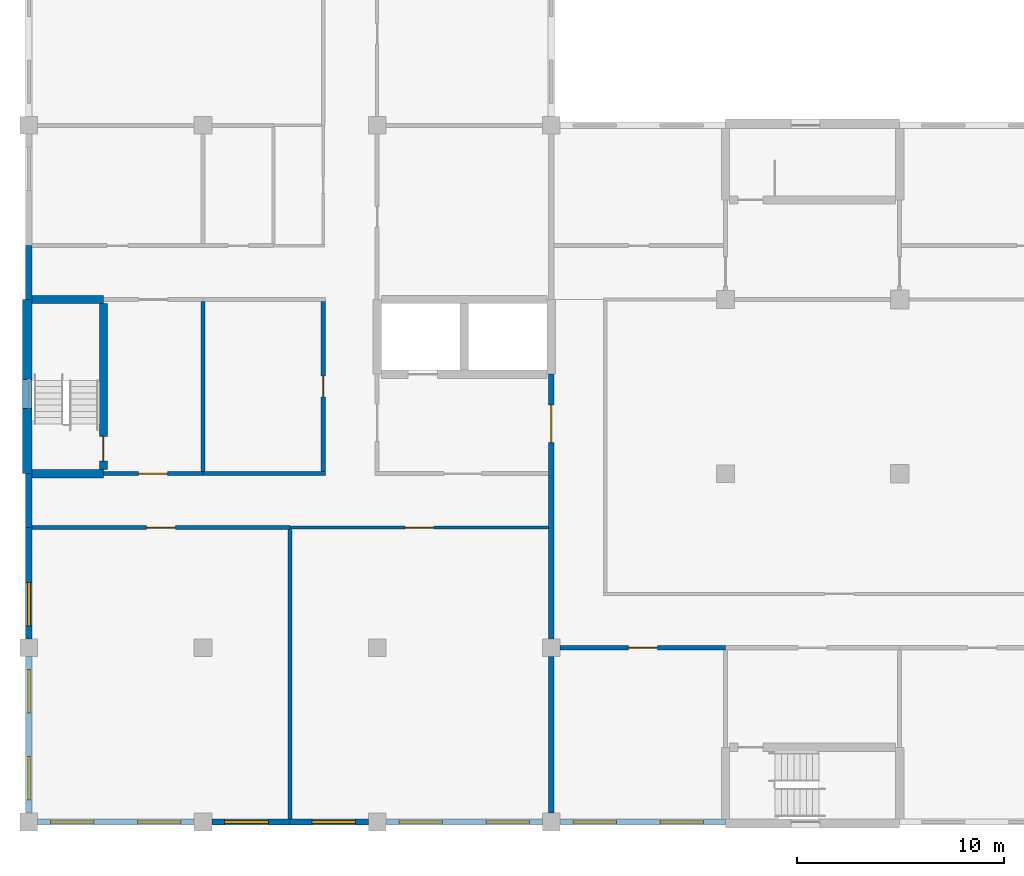
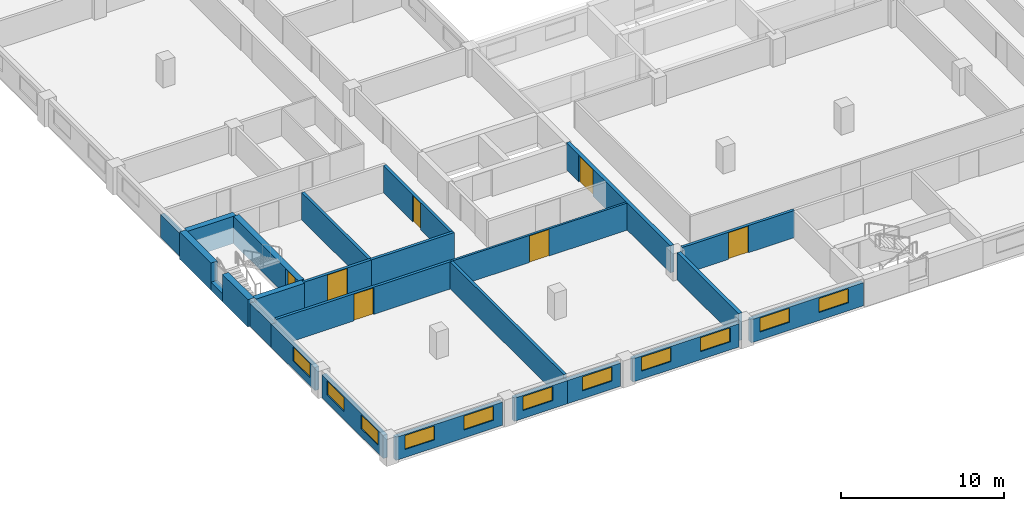
# One storey, part 29 of 48: 25 walls, 11 windows, 7 doors, 18 openings.
"""IFC4 building model written with IfcOpenShell, lengths in metres."""

from ifc_helpers import new_model, si_unit, direction, frame, frame_2d, origin, place, context, subcontext, project, spatial, rectangle, extrude, material, layer, layer_set, type_object, element, fill, save


model = new_model("IFC4")

# Units and contexts
model_context = context("Model", 3, precision=1e-05, world=origin(), true_north=direction((0.0, 1.0)))
body_context = subcontext(model_context, "Body", "Model", "MODEL_VIEW")
ifc_project = project(units=[si_unit("LENGTHUNIT", "METRE"), si_unit("AREAUNIT", "SQUARE_METRE"), si_unit("VOLUMEUNIT", "CUBIC_METRE"), si_unit("PLANEANGLEUNIT", "RADIAN"), si_unit("MASSUNIT", "GRAM", prefix="KILO")], contexts=[model_context])

# Site, building, storey
site_placement = place(None, origin())
site = spatial("IfcSite", under=ifc_project, at=site_placement, CompositionType="ELEMENT")
building_placement = place(site_placement, origin())
building = spatial("IfcBuilding", under=site, at=building_placement, Name="Yavir Park General Hospital", CompositionType="ELEMENT")
storey_placement = place(building_placement, frame((0.0, 0.0, 12.89990234375)))
storey = spatial("IfcBuildingStorey", under=building, at=storey_placement, Name="I02", CompositionType="ELEMENT", Elevation=12.89990234375)

# Wall
ifc_material_1 = material(Name="Concrete C30/37", Category="concrete")
ifc_layer_1 = layer(ifc_material_1, 0.25)
ifc_layer_set_1 = layer_set([ifc_layer_1], Name="Concrete C30/37")
wall_type_1 = type_object("IfcWallType", Name="Compartment fire wall 250, REI 150", PredefinedType="SOLIDWALL", material=ifc_layer_set_1)
wall_1_placement = place(storey_placement, frame((25.199951171875, 0.425048828125, 0.0), z_axis=(0.0, 0.0, 1.0), x_axis=(0.0, 1.0, 0.0)))
element("IfcWall", 1, at=wall_1_placement, inside=storey, type_object=wall_type_1, Name="FW25 I02-134", PredefinedType="SOLIDWALL", context=body_context, shape_type="SweptSolid", body=[
    extrude(rectangle(XDim=7.550048828125, YDim=0.25, at=frame_2d((3.77490234375, 0.0))), origin(), (0.0, 0.0, 1.0), 2.0400390625),
])

# Wall, opening, door
wall_2_placement = place(storey_placement, frame((25.199951171875, 8.824951171875, 0.0), z_axis=(0.0, 0.0, 1.0), x_axis=(0.0, 1.0, 0.0)))
wall_2 = element("IfcWall", 2, at=wall_2_placement, inside=storey, type_object=wall_type_1, Name="FW25 I02-135", PredefinedType="SOLIDWALL", context=body_context, shape_type="SweptSolid", body=[
    extrude(rectangle(XDim=12.775146484375, YDim=0.25, at=frame_2d((6.3876953125, 0.0))), origin(), (0.0, 0.0, 1.0), 2.0400390625),
])
opening_1_placement = place(wall_2_placement, frame((9.47509765625, 0.0, 0.0)))
opening_1 = element("IfcOpeningElement", 3, at=opening_1_placement, cuts=wall_2, Name="Opening I02.D079", PredefinedType="OPENING", context=body_context, shape_type="SweptSolid", body=[
    extrude(rectangle(XDim=1.800048828125, YDim=2.0, at=frame_2d((0.89990234375, 1.0))), frame((0.0, 0.135009765625, 0.0), z_axis=(0.0, -1.0, 0.0), x_axis=(1.0, 0.0, 0.0)), (0.0, 0.0, 1.0), 0.27001953125),
])
ifc_material_2 = material(Name="Steel frame, fire-resisting leaves with vision panels", Category="steel")
door_type_1 = type_object("IfcDoorType", Name="Double fire door with vision panels 1800 x 2000, EI 60", OperationType="DOUBLE_DOOR_SINGLE_SWING", PredefinedType="DOOR", material=ifc_material_2)
door_1_placement = place(opening_1_placement, origin())
door_1 = element("IfcDoor", 4, at=door_1_placement, inside=storey, type_object=door_type_1, Name="I02.D079", OperationType="SINGLE_SWING_RIGHT", OverallHeight=2.0, OverallWidth=1.800048828125, PredefinedType="DOOR", context=body_context, shape_type="SweptSolid", body=[
    extrude(rectangle(XDim=1.800048828125, YDim=2.0, at=frame_2d((0.89990234375, 1.0))), frame((0.0, 0.030029296875, 0.0), z_axis=(0.0, -1.0, 0.0), x_axis=(1.0, 0.0, 0.0)), (0.0, 0.0, 1.0), 0.06005859375),
])
fill(opening_1, door_1)

ifc_material_3 = material(Name="Double gypsum board fire partition on steel studs", Category="steel")
ifc_layer_2 = layer(ifc_material_3, 0.199951171875)
ifc_layer_set_2 = layer_set([ifc_layer_2], Name="Double gypsum board fire partition on steel studs")
wall_type_2 = type_object("IfcWallType", Name="Fire-rated partition 200, EI 60", PredefinedType="PARTITIONING", material=ifc_layer_set_2)
wall_3_placement = place(storey_placement, frame((3.60009765625, 16.800048828125, 0.0), z_axis=(0.0, 0.0, 1.0), x_axis=(1.0, 0.0, 0.0)))
wall_3 = element("IfcWall", 5, at=wall_3_placement, inside=storey, type_object=wall_type_2, Name="FP20 I02-030", PredefinedType="PARTITIONING", context=body_context, shape_type="SweptSolid", body=[
    extrude(rectangle(XDim=4.7998046875, YDim=0.199951171875, at=frame_2d((2.39990234375, 0.0))), origin(), (0.0, 0.0, 1.0), 2.0400390625),
])
opening_2_placement = place(wall_3_placement, frame((1.699951171875, 0.0, 0.0)))
opening_2 = element("IfcOpeningElement", 6, at=opening_2_placement, cuts=wall_3, Name="Opening I02.D025", PredefinedType="OPENING", context=body_context, shape_type="SweptSolid", body=[
    extrude(rectangle(XDim=1.39990234375, YDim=2.0, at=frame_2d((0.699951171875, 1.0))), frame((0.0, 0.10986328125, 0.0), z_axis=(0.0, -1.0, 0.0), x_axis=(1.0, 0.0, 0.0)), (0.0, 0.0, 1.0), 0.219970703125),
])
ifc_material_4 = material(Name="Steel frame, fire-resisting leaves with vision panels", Category="steel")
door_type_2 = type_object("IfcDoorType", Name="Double fire door with vision panels 1400 x 2000, EI 60", OperationType="DOUBLE_DOOR_SINGLE_SWING", PredefinedType="DOOR", material=ifc_material_4)
door_2_placement = place(opening_2_placement, origin())
door_2 = element("IfcDoor", 7, at=door_2_placement, inside=storey, type_object=door_type_2, Name="I02.D025", OperationType="SINGLE_SWING_LEFT", OverallHeight=2.0, OverallWidth=1.39990234375, PredefinedType="DOOR", context=body_context, shape_type="SweptSolid", body=[
    extrude(rectangle(XDim=1.39990234375, YDim=2.0, at=frame_2d((0.699951171875, 1.0))), frame((0.0, 0.030029296875, 0.0), z_axis=(0.0, -1.0, 0.0), x_axis=(1.0, 0.0, 0.0)), (0.0, 0.0, 1.0), 0.06005859375),
])
fill(opening_2, door_2)

# Wall
wall_4_placement = place(storey_placement, frame((8.39990234375, 16.89990234375, 0.0), z_axis=(0.0, 0.0, 1.0), x_axis=(0.0, 1.0, 0.0)))
element("IfcWall", 8, at=wall_4_placement, inside=storey, type_object=wall_type_2, Name="FP20 I02-106", PredefinedType="PARTITIONING", context=body_context, shape_type="SweptSolid", body=[
    extrude(rectangle(XDim=8.2001953125, YDim=0.199951171875, at=frame_2d((4.10009765625, 0.0))), origin(), (0.0, 0.0, 1.0), 2.0400390625),
])

# Wall, opening, door
ifc_material_5 = material(Name="Gypsum board partition on steel studs", Category="steel")
ifc_layer_3 = layer(ifc_material_5, 0.14990234375)
ifc_layer_set_3 = layer_set([ifc_layer_3], Name="Gypsum board partition on steel studs")
wall_type_3 = type_object("IfcWallType", Name="Gypsum board partition 150", PredefinedType="PARTITIONING", material=ifc_layer_set_3)
wall_5_placement = place(storey_placement, frame((12.60009765625, 14.199951171875, 0.0), z_axis=(0.0, 0.0, 1.0), x_axis=(1.0, 0.0, 0.0)))
wall_5 = element("IfcWall", 9, at=wall_5_placement, inside=storey, type_object=wall_type_3, Name="P15 I02-028", PredefinedType="PARTITIONING", context=body_context, shape_type="SweptSolid", body=[
    extrude(rectangle(XDim=12.474853515625, YDim=0.14990234375, at=frame_2d((6.2373046875, 0.0))), origin(), (0.0, 0.0, 1.0), 2.0400390625),
])
opening_3_placement = place(wall_5_placement, frame((5.53759765625, 0.0, 0.0)))
opening_3 = element("IfcOpeningElement", 10, at=opening_3_placement, cuts=wall_5, Name="Opening I02.D024", PredefinedType="OPENING", context=body_context, shape_type="SweptSolid", body=[
    extrude(rectangle(XDim=1.39990234375, YDim=2.0, at=frame_2d((0.699951171875, 1.0))), frame((0.0, 0.0849609375, 0.0), z_axis=(0.0, -1.0, 0.0), x_axis=(1.0, 0.0, 0.0)), (0.0, 0.0, 1.0), 0.169921875),
])
ifc_material_6 = material(Name="Hollow metal frame, solid-core timber leaf", Category="wood")
door_type_3 = type_object("IfcDoorType", Name="Double swing door 1400 x 2000", OperationType="DOUBLE_DOOR_SINGLE_SWING", PredefinedType="DOOR", material=ifc_material_6)
door_3_placement = place(opening_3_placement, origin())
door_3 = element("IfcDoor", 11, at=door_3_placement, inside=storey, type_object=door_type_3, Name="I02.D024", OperationType="SINGLE_SWING_RIGHT", OverallHeight=2.0, OverallWidth=1.39990234375, PredefinedType="DOOR", context=body_context, shape_type="SweptSolid", body=[
    extrude(rectangle(XDim=1.39990234375, YDim=2.0, at=frame_2d((0.699951171875, 1.0))), frame((0.0, 0.02490234375, 0.0), z_axis=(0.0, -1.0, 0.0), x_axis=(1.0, 0.0, 0.0)), (0.0, 0.0, 1.0), 0.050048828125),
])
fill(opening_3, door_3)

# Wall, openings, windows
ifc_material_7 = material(Name="Insulated sandwich panels on a Steel S355 subframe", Category="steel")
ifc_layer_4 = layer(ifc_material_7, 0.300048828125)
ifc_layer_set_4 = layer_set([ifc_layer_4], Name="Insulated sandwich panels on a Steel S355 subframe")
wall_type_4 = type_object("IfcWallType", Name="Insulated panel service floor wall 300, E 30", PredefinedType="SOLIDWALL", material=ifc_layer_set_4)
wall_6_placement = place(storey_placement, frame((0.425048828125, 0.0, 0.0), z_axis=(0.0, 0.0, 1.0), x_axis=(1.0, 0.0, 0.0)))
wall_6 = element("IfcWall", 12, at=wall_6_placement, inside=storey, type_object=wall_type_4, Name="XW5 I02-001", PredefinedType="SOLIDWALL", context=body_context, shape_type="SweptSolid", body=[
    extrude(rectangle(XDim=7.550048828125, YDim=0.300048828125, at=frame_2d((3.77490234375, 0.0))), origin(), (0.0, 0.0, 1.0), 1.739990234375),
])
opening_4_placement = place(wall_6_placement, frame((0.625, 0.0, 0.60009765625)))
opening_4 = element("IfcOpeningElement", 13, at=opening_4_placement, cuts=wall_6, Name="Opening LV3", PredefinedType="OPENING", context=body_context, shape_type="SweptSolid", body=[
    extrude(rectangle(XDim=2.10009765625, YDim=1.050048828125, at=frame_2d((1.050048828125, 0.52490234375))), frame((0.0, 0.159912109375, 0.0), z_axis=(0.0, -1.0, 0.0), x_axis=(1.0, 0.0, 0.0)), (0.0, 0.0, 1.0), 0.320068359375),
])
opening_5_placement = place(wall_6_placement, frame((4.824951171875, 0.0, 0.60009765625)))
opening_5 = element("IfcOpeningElement", 14, at=opening_5_placement, cuts=wall_6, Name="Opening LV3", PredefinedType="OPENING", context=body_context, shape_type="SweptSolid", body=[
    extrude(rectangle(XDim=2.10009765625, YDim=1.050048828125, at=frame_2d((1.050048828125, 0.52490234375))), frame((0.0, 0.159912109375, 0.0), z_axis=(0.0, -1.0, 0.0), x_axis=(1.0, 0.0, 0.0)), (0.0, 0.0, 1.0), 0.320068359375),
])
ifc_material_8 = material(Name="Anodised aluminium louvre blades in a deep frame", Category="aluminium")
window_type = type_object("IfcWindowType", Name="Interstitial floor louvre 2100 x 1050", PartitioningType="SINGLE_PANEL", PredefinedType="WINDOW", material=ifc_material_8)
window_1_placement = place(opening_4_placement, origin())
window_1 = element("IfcWindow", 15, at=window_1_placement, inside=storey, type_object=window_type, Name="LV3 I02-001", OverallHeight=1.050048828125, OverallWidth=2.10009765625, PartitioningType="SINGLE_PANEL", PredefinedType="WINDOW", context=body_context, shape_type="SweptSolid", body=[
    extrude(rectangle(XDim=2.10009765625, YDim=1.050048828125, at=frame_2d((1.050048828125, 0.52490234375))), frame((0.0, 0.074951171875, 0.0), z_axis=(0.0, -1.0, 0.0), x_axis=(1.0, 0.0, 0.0)), (0.0, 0.0, 1.0), 0.14990234375),
])
fill(opening_4, window_1)
window_2_placement = place(opening_5_placement, origin())
window_2 = element("IfcWindow", 16, at=window_2_placement, inside=storey, type_object=window_type, Name="LV3 I02-002", OverallHeight=1.050048828125, OverallWidth=2.10009765625, PartitioningType="SINGLE_PANEL", PredefinedType="WINDOW", context=body_context, shape_type="SweptSolid", body=[
    extrude(rectangle(XDim=2.10009765625, YDim=1.050048828125, at=frame_2d((1.050048828125, 0.52490234375))), frame((0.0, 0.074951171875, 0.0), z_axis=(0.0, -1.0, 0.0), x_axis=(1.0, 0.0, 0.0)), (0.0, 0.0, 1.0), 0.14990234375),
])
fill(opening_5, window_2)

# Wall, opening, window
wall_7_placement = place(storey_placement, frame((8.824951171875, 0.0, 0.0), z_axis=(0.0, 0.0, 1.0), x_axis=(1.0, 0.0, 0.0)))
wall_7 = element("IfcWall", 17, at=wall_7_placement, inside=storey, type_object=wall_type_4, Name="XW5 I02-002", PredefinedType="SOLIDWALL", context=body_context, shape_type="SweptSolid", body=[
    extrude(rectangle(XDim=3.775146484375, YDim=0.300048828125, at=frame_2d((1.8876953125, 0.0))), origin(), (0.0, 0.0, 1.0), 1.739990234375),
])
opening_6_placement = place(wall_7_placement, frame((0.625, 0.0, 0.60009765625)))
opening_6 = element("IfcOpeningElement", 18, at=opening_6_placement, cuts=wall_7, Name="Opening LV3", PredefinedType="OPENING", context=body_context, shape_type="SweptSolid", body=[
    extrude(rectangle(XDim=2.10009765625, YDim=1.050048828125, at=frame_2d((1.050048828125, 0.52490234375))), frame((0.0, 0.159912109375, 0.0), z_axis=(0.0, -1.0, 0.0), x_axis=(1.0, 0.0, 0.0)), (0.0, 0.0, 1.0), 0.320068359375),
])
window_3_placement = place(opening_6_placement, origin())
window_3 = element("IfcWindow", 19, at=window_3_placement, inside=storey, type_object=window_type, Name="LV3 I02-003", OverallHeight=1.050048828125, OverallWidth=2.10009765625, PartitioningType="SINGLE_PANEL", PredefinedType="WINDOW", context=body_context, shape_type="SweptSolid", body=[
    extrude(rectangle(XDim=2.10009765625, YDim=1.050048828125, at=frame_2d((1.050048828125, 0.52490234375))), frame((0.0, 0.074951171875, 0.0), z_axis=(0.0, -1.0, 0.0), x_axis=(1.0, 0.0, 0.0)), (0.0, 0.0, 1.0), 0.14990234375),
])
fill(opening_6, window_3)

wall_8_placement = place(storey_placement, frame((12.60009765625, 0.0, 0.0), z_axis=(0.0, 0.0, 1.0), x_axis=(1.0, 0.0, 0.0)))
wall_8 = element("IfcWall", 20, at=wall_8_placement, inside=storey, type_object=wall_type_4, Name="XW5 I02-003", PredefinedType="SOLIDWALL", context=body_context, shape_type="SweptSolid", body=[
    extrude(rectangle(XDim=3.77490234375, YDim=0.300048828125, at=frame_2d((1.887451171875, 0.0))), origin(), (0.0, 0.0, 1.0), 1.739990234375),
])
opening_7_placement = place(wall_8_placement, frame((1.050048828125, 0.0, 0.60009765625)))
opening_7 = element("IfcOpeningElement", 21, at=opening_7_placement, cuts=wall_8, Name="Opening LV3", PredefinedType="OPENING", context=body_context, shape_type="SweptSolid", body=[
    extrude(rectangle(XDim=2.10009765625, YDim=1.050048828125, at=frame_2d((1.050048828125, 0.52490234375))), frame((0.0, 0.159912109375, 0.0), z_axis=(0.0, -1.0, 0.0), x_axis=(1.0, 0.0, 0.0)), (0.0, 0.0, 1.0), 0.320068359375),
])
window_4_placement = place(opening_7_placement, origin())
window_4 = element("IfcWindow", 22, at=window_4_placement, inside=storey, type_object=window_type, Name="LV3 I02-004", OverallHeight=1.050048828125, OverallWidth=2.10009765625, PartitioningType="SINGLE_PANEL", PredefinedType="WINDOW", context=body_context, shape_type="SweptSolid", body=[
    extrude(rectangle(XDim=2.10009765625, YDim=1.050048828125, at=frame_2d((1.050048828125, 0.52490234375))), frame((0.0, 0.074951171875, 0.0), z_axis=(0.0, -1.0, 0.0), x_axis=(1.0, 0.0, 0.0)), (0.0, 0.0, 1.0), 0.14990234375),
])
fill(opening_7, window_4)

# Wall, openings, windows
wall_9_placement = place(storey_placement, frame((17.22509765625, 0.0, 0.0), z_axis=(0.0, 0.0, 1.0), x_axis=(1.0, 0.0, 0.0)))
wall_9 = element("IfcWall", 23, at=wall_9_placement, inside=storey, type_object=wall_type_4, Name="XW5 I02-004", PredefinedType="SOLIDWALL", context=body_context, shape_type="SweptSolid", body=[
    extrude(rectangle(XDim=7.5498046875, YDim=0.300048828125, at=frame_2d((3.77490234375, 0.0))), origin(), (0.0, 0.0, 1.0), 1.739990234375),
])
opening_8_placement = place(wall_9_placement, frame((0.625, 0.0, 0.60009765625)))
opening_8 = element("IfcOpeningElement", 24, at=opening_8_placement, cuts=wall_9, Name="Opening LV3", PredefinedType="OPENING", context=body_context, shape_type="SweptSolid", body=[
    extrude(rectangle(XDim=2.10009765625, YDim=1.050048828125, at=frame_2d((1.050048828125, 0.52490234375))), frame((0.0, 0.159912109375, 0.0), z_axis=(0.0, -1.0, 0.0), x_axis=(1.0, 0.0, 0.0)), (0.0, 0.0, 1.0), 0.320068359375),
])
opening_9_placement = place(wall_9_placement, frame((4.824951171875, 0.0, 0.60009765625)))
opening_9 = element("IfcOpeningElement", 25, at=opening_9_placement, cuts=wall_9, Name="Opening LV3", PredefinedType="OPENING", context=body_context, shape_type="SweptSolid", body=[
    extrude(rectangle(XDim=2.10009765625, YDim=1.050048828125, at=frame_2d((1.050048828125, 0.52490234375))), frame((0.0, 0.159912109375, 0.0), z_axis=(0.0, -1.0, 0.0), x_axis=(1.0, 0.0, 0.0)), (0.0, 0.0, 1.0), 0.320068359375),
])
window_5_placement = place(opening_8_placement, origin())
window_5 = element("IfcWindow", 26, at=window_5_placement, inside=storey, type_object=window_type, Name="LV3 I02-005", OverallHeight=1.050048828125, OverallWidth=2.10009765625, PartitioningType="SINGLE_PANEL", PredefinedType="WINDOW", context=body_context, shape_type="SweptSolid", body=[
    extrude(rectangle(XDim=2.10009765625, YDim=1.050048828125, at=frame_2d((1.050048828125, 0.52490234375))), frame((0.0, 0.074951171875, 0.0), z_axis=(0.0, -1.0, 0.0), x_axis=(1.0, 0.0, 0.0)), (0.0, 0.0, 1.0), 0.14990234375),
])
fill(opening_8, window_5)
window_6_placement = place(opening_9_placement, origin())
window_6 = element("IfcWindow", 27, at=window_6_placement, inside=storey, type_object=window_type, Name="LV3 I02-006", OverallHeight=1.050048828125, OverallWidth=2.10009765625, PartitioningType="SINGLE_PANEL", PredefinedType="WINDOW", context=body_context, shape_type="SweptSolid", body=[
    extrude(rectangle(XDim=2.10009765625, YDim=1.050048828125, at=frame_2d((1.050048828125, 0.52490234375))), frame((0.0, 0.074951171875, 0.0), z_axis=(0.0, -1.0, 0.0), x_axis=(1.0, 0.0, 0.0)), (0.0, 0.0, 1.0), 0.14990234375),
])
fill(opening_9, window_6)

wall_10_placement = place(storey_placement, frame((25.625, 0.0, 0.0), z_axis=(0.0, 0.0, 1.0), x_axis=(1.0, 0.0, 0.0)))
wall_10 = element("IfcWall", 28, at=wall_10_placement, inside=storey, type_object=wall_type_4, Name="XW5 I02-005", PredefinedType="SOLIDWALL", context=body_context, shape_type="SweptSolid", body=[
    extrude(rectangle(XDim=7.97509765625, YDim=0.300048828125, at=frame_2d((3.987548828125, 0.0))), origin(), (0.0, 0.0, 1.0), 1.739990234375),
])
opening_10_placement = place(wall_10_placement, frame((0.625, 0.0, 0.60009765625)))
opening_10 = element("IfcOpeningElement", 29, at=opening_10_placement, cuts=wall_10, Name="Opening LV3", PredefinedType="OPENING", context=body_context, shape_type="SweptSolid", body=[
    extrude(rectangle(XDim=2.10009765625, YDim=1.050048828125, at=frame_2d((1.050048828125, 0.52490234375))), frame((0.0, 0.159912109375, 0.0), z_axis=(0.0, -1.0, 0.0), x_axis=(1.0, 0.0, 0.0)), (0.0, 0.0, 1.0), 0.320068359375),
])
opening_11_placement = place(wall_10_placement, frame((4.824951171875, 0.0, 0.60009765625)))
opening_11 = element("IfcOpeningElement", 30, at=opening_11_placement, cuts=wall_10, Name="Opening LV3", PredefinedType="OPENING", context=body_context, shape_type="SweptSolid", body=[
    extrude(rectangle(XDim=2.10009765625, YDim=1.050048828125, at=frame_2d((1.050048828125, 0.52490234375))), frame((0.0, 0.159912109375, 0.0), z_axis=(0.0, -1.0, 0.0), x_axis=(1.0, 0.0, 0.0)), (0.0, 0.0, 1.0), 0.320068359375),
])
window_7_placement = place(opening_10_placement, origin())
window_7 = element("IfcWindow", 31, at=window_7_placement, inside=storey, type_object=window_type, Name="LV3 I02-007", OverallHeight=1.050048828125, OverallWidth=2.10009765625, PartitioningType="SINGLE_PANEL", PredefinedType="WINDOW", context=body_context, shape_type="SweptSolid", body=[
    extrude(rectangle(XDim=2.10009765625, YDim=1.050048828125, at=frame_2d((1.050048828125, 0.52490234375))), frame((0.0, 0.074951171875, 0.0), z_axis=(0.0, -1.0, 0.0), x_axis=(1.0, 0.0, 0.0)), (0.0, 0.0, 1.0), 0.14990234375),
])
fill(opening_10, window_7)
window_8_placement = place(opening_11_placement, origin())
window_8 = element("IfcWindow", 32, at=window_8_placement, inside=storey, type_object=window_type, Name="LV3 I02-008", OverallHeight=1.050048828125, OverallWidth=2.10009765625, PartitioningType="SINGLE_PANEL", PredefinedType="WINDOW", context=body_context, shape_type="SweptSolid", body=[
    extrude(rectangle(XDim=2.10009765625, YDim=1.050048828125, at=frame_2d((1.050048828125, 0.52490234375))), frame((0.0, 0.074951171875, 0.0), z_axis=(0.0, -1.0, 0.0), x_axis=(1.0, 0.0, 0.0)), (0.0, 0.0, 1.0), 0.14990234375),
])
fill(opening_11, window_8)

wall_11_placement = place(storey_placement, frame((0.0, 0.425048828125, 0.0), z_axis=(0.0, 0.0, 1.0), x_axis=(0.0, 1.0, 0.0)))
wall_11 = element("IfcWall", 33, at=wall_11_placement, inside=storey, type_object=wall_type_4, Name="XW5 I02-070", PredefinedType="SOLIDWALL", context=body_context, shape_type="SweptSolid", body=[
    extrude(rectangle(XDim=7.550048828125, YDim=0.300048828125, at=frame_2d((3.77490234375, 0.0))), origin(), (0.0, 0.0, 1.0), 1.739990234375),
])
opening_12_placement = place(wall_11_placement, frame((0.625, 0.0, 0.60009765625)))
opening_12 = element("IfcOpeningElement", 34, at=opening_12_placement, cuts=wall_11, Name="Opening LV3", PredefinedType="OPENING", context=body_context, shape_type="SweptSolid", body=[
    extrude(rectangle(XDim=2.10009765625, YDim=1.050048828125, at=frame_2d((1.050048828125, 0.52490234375))), frame((0.0, 0.159912109375, 0.0), z_axis=(0.0, -1.0, 0.0), x_axis=(1.0, 0.0, 0.0)), (0.0, 0.0, 1.0), 0.320068359375),
])
opening_13_placement = place(wall_11_placement, frame((4.824951171875, 0.0, 0.60009765625)))
opening_13 = element("IfcOpeningElement", 35, at=opening_13_placement, cuts=wall_11, Name="Opening LV3", PredefinedType="OPENING", context=body_context, shape_type="SweptSolid", body=[
    extrude(rectangle(XDim=2.10009765625, YDim=1.050048828125, at=frame_2d((1.050048828125, 0.52490234375))), frame((0.0, 0.159912109375, 0.0), z_axis=(0.0, -1.0, 0.0), x_axis=(1.0, 0.0, 0.0)), (0.0, 0.0, 1.0), 0.320068359375),
])
window_9_placement = place(opening_12_placement, origin())
window_9 = element("IfcWindow", 36, at=window_9_placement, inside=storey, type_object=window_type, Name="LV3 I02-063", OverallHeight=1.050048828125, OverallWidth=2.10009765625, PartitioningType="SINGLE_PANEL", PredefinedType="WINDOW", context=body_context, shape_type="SweptSolid", body=[
    extrude(rectangle(XDim=2.10009765625, YDim=1.050048828125, at=frame_2d((1.050048828125, 0.52490234375))), frame((0.0, 0.074951171875, 0.0), z_axis=(0.0, -1.0, 0.0), x_axis=(1.0, 0.0, 0.0)), (0.0, 0.0, 1.0), 0.14990234375),
])
fill(opening_12, window_9)
window_10_placement = place(opening_13_placement, origin())
window_10 = element("IfcWindow", 37, at=window_10_placement, inside=storey, type_object=window_type, Name="LV3 I02-064", OverallHeight=1.050048828125, OverallWidth=2.10009765625, PartitioningType="SINGLE_PANEL", PredefinedType="WINDOW", context=body_context, shape_type="SweptSolid", body=[
    extrude(rectangle(XDim=2.10009765625, YDim=1.050048828125, at=frame_2d((1.050048828125, 0.52490234375))), frame((0.0, 0.074951171875, 0.0), z_axis=(0.0, -1.0, 0.0), x_axis=(1.0, 0.0, 0.0)), (0.0, 0.0, 1.0), 0.14990234375),
])
fill(opening_13, window_10)

# Wall, opening, window
wall_12_placement = place(storey_placement, frame((0.0, 8.824951171875, 0.0), z_axis=(0.0, 0.0, 1.0), x_axis=(0.0, 1.0, 0.0)))
wall_12 = element("IfcWall", 38, at=wall_12_placement, inside=storey, type_object=wall_type_4, Name="XW5 I02-071", PredefinedType="SOLIDWALL", context=body_context, shape_type="SweptSolid", body=[
    extrude(rectangle(XDim=5.375, YDim=0.300048828125, at=frame_2d((2.6875, 0.0))), origin(), (0.0, 0.0, 1.0), 1.739990234375),
])
opening_14_placement = place(wall_12_placement, frame((0.625, 0.0, 0.60009765625)))
opening_14 = element("IfcOpeningElement", 39, at=opening_14_placement, cuts=wall_12, Name="Opening LV3", PredefinedType="OPENING", context=body_context, shape_type="SweptSolid", body=[
    extrude(rectangle(XDim=2.10009765625, YDim=1.050048828125, at=frame_2d((1.050048828125, 0.52490234375))), frame((0.0, 0.159912109375, 0.0), z_axis=(0.0, -1.0, 0.0), x_axis=(1.0, 0.0, 0.0)), (0.0, 0.0, 1.0), 0.320068359375),
])
window_11_placement = place(opening_14_placement, origin())
window_11 = element("IfcWindow", 40, at=window_11_placement, inside=storey, type_object=window_type, Name="LV3 I02-065", OverallHeight=1.050048828125, OverallWidth=2.10009765625, PartitioningType="SINGLE_PANEL", PredefinedType="WINDOW", context=body_context, shape_type="SweptSolid", body=[
    extrude(rectangle(XDim=2.10009765625, YDim=1.050048828125, at=frame_2d((1.050048828125, 0.52490234375))), frame((0.0, 0.074951171875, 0.0), z_axis=(0.0, -1.0, 0.0), x_axis=(1.0, 0.0, 0.0)), (0.0, 0.0, 1.0), 0.14990234375),
])
fill(opening_14, window_11)

# Walls
for number, where, z_axis, x_axis, name in (
    (41, (0.0, 14.199951171875, 0.0), (0.0, 0.0, 1.0), (0.0, 1.0, 0.0), "XW5 I02-072"),
    (42, (0.0, 25.199951171875, 0.0), (0.0, 0.0, 1.0), (0.0, 1.0, 0.0), "XW5 I02-076"),
):
    element("IfcWall", number, at=place(storey_placement, frame(where, z_axis=z_axis, x_axis=x_axis)), inside=storey, type_object=wall_type_4, Name=name, PredefinedType="SOLIDWALL", context=body_context, shape_type="SweptSolid", body=[
        extrude(rectangle(XDim=2.60009765625, YDim=0.300048828125, at=frame_2d((1.300048828125, 0.0))), origin(), (0.0, 0.0, 1.0), 1.739990234375),
    ])

# Wall, opening, door
ifc_material_9 = material(Name="Clay block masonry infill", Category="masonry")
ifc_layer_5 = layer(ifc_material_9, 0.199951171875)
ifc_layer_set_5 = layer_set([ifc_layer_5], Name="Clay block masonry infill")
wall_type_5 = type_object("IfcWallType", Name="Masonry infill wall 200", PredefinedType="SOLIDWALL", material=ifc_layer_set_5)
wall_13_placement = place(storey_placement, frame((25.625, 8.39990234375, 0.0), z_axis=(0.0, 0.0, 1.0), x_axis=(1.0, 0.0, 0.0)))
wall_13 = element("IfcWall", 43, at=wall_13_placement, inside=storey, type_object=wall_type_5, Name="MW20 I02-005", PredefinedType="SOLIDWALL", context=body_context, shape_type="SweptSolid", body=[
    extrude(rectangle(XDim=7.97509765625, YDim=0.199951171875, at=frame_2d((3.987548828125, 0.0))), origin(), (0.0, 0.0, 1.0), 2.0400390625),
])
opening_15_placement = place(wall_13_placement, frame((3.28759765625, 0.0, 0.0)))
opening_15 = element("IfcOpeningElement", 44, at=opening_15_placement, cuts=wall_13, Name="Opening I02.D005", PredefinedType="OPENING", context=body_context, shape_type="SweptSolid", body=[
    extrude(rectangle(XDim=1.39990234375, YDim=2.0, at=frame_2d((0.699951171875, 1.0))), frame((0.0, 0.10986328125, 0.0), z_axis=(0.0, -1.0, 0.0), x_axis=(1.0, 0.0, 0.0)), (0.0, 0.0, 1.0), 0.219970703125),
])
door_4_placement = place(opening_15_placement, origin())
door_4 = element("IfcDoor", 45, at=door_4_placement, inside=storey, type_object=door_type_3, Name="I02.D005", OperationType="SINGLE_SWING_RIGHT", OverallHeight=2.0, OverallWidth=1.39990234375, PredefinedType="DOOR", context=body_context, shape_type="SweptSolid", body=[
    extrude(rectangle(XDim=1.39990234375, YDim=2.0, at=frame_2d((0.699951171875, 1.0))), frame((0.0, 0.02490234375, 0.0), z_axis=(0.0, -1.0, 0.0), x_axis=(1.0, 0.0, 0.0)), (0.0, 0.0, 1.0), 0.050048828125),
])
fill(opening_15, door_4)

wall_14_placement = place(storey_placement, frame((0.14990234375, 14.199951171875, 0.0), z_axis=(0.0, 0.0, 1.0), x_axis=(1.0, 0.0, 0.0)))
wall_14 = element("IfcWall", 46, at=wall_14_placement, inside=storey, type_object=wall_type_5, Name="MW20 I02-027", PredefinedType="SOLIDWALL", context=body_context, shape_type="SweptSolid", body=[
    extrude(rectangle(XDim=12.4501953125, YDim=0.199951171875, at=frame_2d((6.22509765625, 0.0))), origin(), (0.0, 0.0, 1.0), 2.0400390625),
])
opening_16_placement = place(wall_14_placement, frame((5.52490234375, 0.0, 0.0)))
opening_16 = element("IfcOpeningElement", 47, at=opening_16_placement, cuts=wall_14, Name="Opening I02.D023", PredefinedType="OPENING", context=body_context, shape_type="SweptSolid", body=[
    extrude(rectangle(XDim=1.39990234375, YDim=2.0, at=frame_2d((0.699951171875, 1.0))), frame((0.0, 0.10986328125, 0.0), z_axis=(0.0, -1.0, 0.0), x_axis=(1.0, 0.0, 0.0)), (0.0, 0.0, 1.0), 0.219970703125),
])
door_5_placement = place(opening_16_placement, origin())
door_5 = element("IfcDoor", 48, at=door_5_placement, inside=storey, type_object=door_type_3, Name="I02.D023", OperationType="SINGLE_SWING_RIGHT", OverallHeight=2.0, OverallWidth=1.39990234375, PredefinedType="DOOR", context=body_context, shape_type="SweptSolid", body=[
    extrude(rectangle(XDim=1.39990234375, YDim=2.0, at=frame_2d((0.699951171875, 1.0))), frame((0.0, 0.02490234375, 0.0), z_axis=(0.0, -1.0, 0.0), x_axis=(1.0, 0.0, 0.0)), (0.0, 0.0, 1.0), 0.050048828125),
])
fill(opening_16, door_5)

# Walls
wall_15_placement = place(storey_placement, frame((8.39990234375, 16.800048828125, 0.0), z_axis=(0.0, 0.0, 1.0), x_axis=(1.0, 0.0, 0.0)))
element("IfcWall", 49, at=wall_15_placement, inside=storey, type_object=wall_type_5, Name="MW20 I02-031", PredefinedType="SOLIDWALL", context=body_context, shape_type="SweptSolid", body=[
    extrude(rectangle(XDim=5.900146484375, YDim=0.199951171875, at=frame_2d((2.9501953125, 0.0))), origin(), (0.0, 0.0, 1.0), 2.0400390625),
])
wall_16_placement = place(storey_placement, frame((12.60009765625, 0.14990234375, 0.0), z_axis=(0.0, 0.0, 1.0), x_axis=(0.0, 1.0, 0.0)))
element("IfcWall", 50, at=wall_16_placement, inside=storey, type_object=wall_type_5, Name="MW20 I02-110", PredefinedType="SOLIDWALL", context=body_context, shape_type="SweptSolid", body=[
    extrude(rectangle(XDim=13.9501953125, YDim=0.199951171875, at=frame_2d((6.97509765625, 0.0))), origin(), (0.0, 0.0, 1.0), 2.0400390625),
])

# Wall, opening, door
wall_17_placement = place(storey_placement, frame((14.199951171875, 16.89990234375, 0.0), z_axis=(0.0, 0.0, 1.0), x_axis=(0.0, 1.0, 0.0)))
wall_17 = element("IfcWall", 51, at=wall_17_placement, inside=storey, type_object=wall_type_5, Name="MW20 I02-111", PredefinedType="SOLIDWALL", context=body_context, shape_type="SweptSolid", body=[
    extrude(rectangle(XDim=8.2001953125, YDim=0.199951171875, at=frame_2d((4.10009765625, 0.0))), origin(), (0.0, 0.0, 1.0), 2.0400390625),
])
opening_17_placement = place(wall_17_placement, frame((3.60009765625, 0.0, 0.0)))
opening_17 = element("IfcOpeningElement", 52, at=opening_17_placement, cuts=wall_17, Name="Opening I02.D055", PredefinedType="OPENING", context=body_context, shape_type="SweptSolid", body=[
    extrude(rectangle(XDim=1.0, YDim=2.0, at=frame_2d((0.5, 1.0))), frame((0.0, 0.10986328125, 0.0), z_axis=(0.0, -1.0, 0.0), x_axis=(1.0, 0.0, 0.0)), (0.0, 0.0, 1.0), 0.219970703125),
])
ifc_material_10 = material(Name="Hollow metal frame, solid-core timber leaf", Category="wood")
door_type_4 = type_object("IfcDoorType", Name="Single swing door 1000 x 2000", OperationType="SINGLE_SWING_LEFT", PredefinedType="DOOR", material=ifc_material_10)
door_6_placement = place(opening_17_placement, origin())
door_6 = element("IfcDoor", 53, at=door_6_placement, inside=storey, type_object=door_type_4, Name="I02.D055", OperationType="SINGLE_SWING_RIGHT", OverallHeight=2.0, OverallWidth=1.0, PredefinedType="DOOR", context=body_context, shape_type="SweptSolid", body=[
    extrude(rectangle(XDim=1.0, YDim=2.0, at=frame_2d((0.5, 1.0))), frame((0.0, 0.02490234375, 0.0), z_axis=(0.0, -1.0, 0.0), x_axis=(1.0, 0.0, 0.0)), (0.0, 0.0, 1.0), 0.050048828125),
])
fill(opening_17, door_6)

# Walls
ifc_material_11 = material(Name="Concrete C35/45", Category="concrete")
ifc_layer_6 = layer(ifc_material_11, 0.39990234375)
ifc_layer_set_6 = layer_set([ifc_layer_6], Name="Concrete C35/45")
wall_type_6 = type_object("IfcWallType", Name="Reinforced concrete core wall 400, REI 150", PredefinedType="SHEAR", material=ifc_layer_set_6)
for number, where, z_axis, x_axis, name in (
    (54, (0.14990234375, 16.800048828125, 0.0), (0.0, 0.0, 1.0), (1.0, 0.0, 0.0), "CW40 I02-029"),
    (55, (0.14990234375, 25.199951171875, 0.0), (0.0, 0.0, 1.0), (1.0, 0.0, 0.0), "CW40 I02-040"),
):
    element("IfcWall", number, at=place(storey_placement, frame(where, z_axis=z_axis, x_axis=x_axis)), inside=storey, type_object=wall_type_6, Name=name, PredefinedType="SHEAR", context=body_context, shape_type="SweptSolid", body=[
        extrude(rectangle(XDim=3.4501953125, YDim=0.39990234375, at=frame_2d((1.72509765625, 0.0))), origin(), (0.0, 0.0, 1.0), 2.0400390625),
    ])

# Wall, opening, door
wall_18_placement = place(storey_placement, frame((3.60009765625, 17.0, 0.0), z_axis=(0.0, 0.0, 1.0), x_axis=(0.0, 1.0, 0.0)))
wall_18 = element("IfcWall", 56, at=wall_18_placement, inside=storey, type_object=wall_type_6, Name="CW40 I02-104", PredefinedType="SHEAR", context=body_context, shape_type="SweptSolid", body=[
    extrude(rectangle(XDim=8.0, YDim=0.39990234375, at=frame_2d((4.0, 0.0))), origin(), (0.0, 0.0, 1.0), 2.0400390625),
])
opening_18_placement = place(wall_18_placement, frame((0.39990234375, 0.0, 0.0)))
opening_18 = element("IfcOpeningElement", 57, at=opening_18_placement, cuts=wall_18, Name="Opening I02.D053", PredefinedType="OPENING", context=body_context, shape_type="SweptSolid", body=[
    extrude(rectangle(XDim=1.199951171875, YDim=2.0, at=frame_2d((0.60009765625, 1.0))), frame((0.0, 0.2099609375, 0.0), z_axis=(0.0, -1.0, 0.0), x_axis=(1.0, 0.0, 0.0)), (0.0, 0.0, 1.0), 0.419921875),
])
ifc_material_12 = material(Name="Steel frame, fire-resisting timber leaf", Category="steel")
door_type_5 = type_object("IfcDoorType", Name="Fire door 1200 x 2000, EI 60", OperationType="SINGLE_SWING_LEFT", PredefinedType="DOOR", material=ifc_material_12)
door_7_placement = place(opening_18_placement, origin())
door_7 = element("IfcDoor", 58, at=door_7_placement, inside=storey, type_object=door_type_5, Name="I02.D053", OperationType="SINGLE_SWING_RIGHT", OverallHeight=2.0, OverallWidth=1.199951171875, PredefinedType="DOOR", context=body_context, shape_type="SweptSolid", body=[
    extrude(rectangle(XDim=1.199951171875, YDim=2.0, at=frame_2d((0.60009765625, 1.0))), frame((0.0, 0.02490234375, 0.0), z_axis=(0.0, -1.0, 0.0), x_axis=(1.0, 0.0, 0.0)), (0.0, 0.0, 1.0), 0.050048828125),
])
fill(opening_18, door_7)

# Walls
ifc_material_13 = material(Name="Concrete C30/37 precast panel with 150 mm mineral wool insulation", Category="concrete")
ifc_layer_7 = layer(ifc_material_13, 0.449951171875)
ifc_layer_set_7 = layer_set([ifc_layer_7], Name="Concrete C30/37 precast panel with 150 mm mineral wool insulation")
wall_type_7 = type_object("IfcWallType", Name="Stair enclosure wall 450, REI 150", PredefinedType="SOLIDWALL", material=ifc_layer_set_7)
wall_19_placement = place(storey_placement, frame((-0.074951171875, 16.800048828125, 0.0), z_axis=(0.0, 0.0, 1.0), x_axis=(0.0, 1.0, 0.0)))
element("IfcWall", 59, at=wall_19_placement, inside=storey, type_object=wall_type_7, Name="XW6 I02-073", PredefinedType="SOLIDWALL", context=body_context, shape_type="SweptSolid", body=[
    extrude(rectangle(XDim=3.14990234375, YDim=0.449951171875, at=frame_2d((1.574951171875, 0.0))), origin(), (0.0, 0.0, 1.0), 2.0400390625),
])
wall_20_placement = place(storey_placement, frame((-0.074951171875, 21.35009765625, 0.0), z_axis=(0.0, 0.0, 1.0), x_axis=(0.0, 1.0, 0.0)))
element("IfcWall", 60, at=wall_20_placement, inside=storey, type_object=wall_type_7, Name="XW6 I02-074", PredefinedType="SOLIDWALL", context=body_context, shape_type="SweptSolid", body=[
    extrude(rectangle(XDim=3.849853515625, YDim=0.449951171875, at=frame_2d((1.9248046875, 0.0))), origin(), (0.0, 0.0, 1.0), 2.0400390625),
])
wall_21_placement = place(storey_placement, frame((-0.074951171875, 19.949951171875, 0.0), z_axis=(0.0, 0.0, 1.0), x_axis=(0.0, 1.0, 0.0)))
element("IfcWall", 61, at=wall_21_placement, inside=storey, type_object=wall_type_7, Name="XW6 I02-075", PredefinedType="SOLIDWALL", context=body_context, shape_type="SweptSolid", body=[
    extrude(rectangle(XDim=1.400146484375, YDim=0.449951171875, at=frame_2d((0.7001953125, 0.0))), origin(), (0.0, 0.0, 1.0), 0.60009765625),
])

save(model, "model.ifc")
